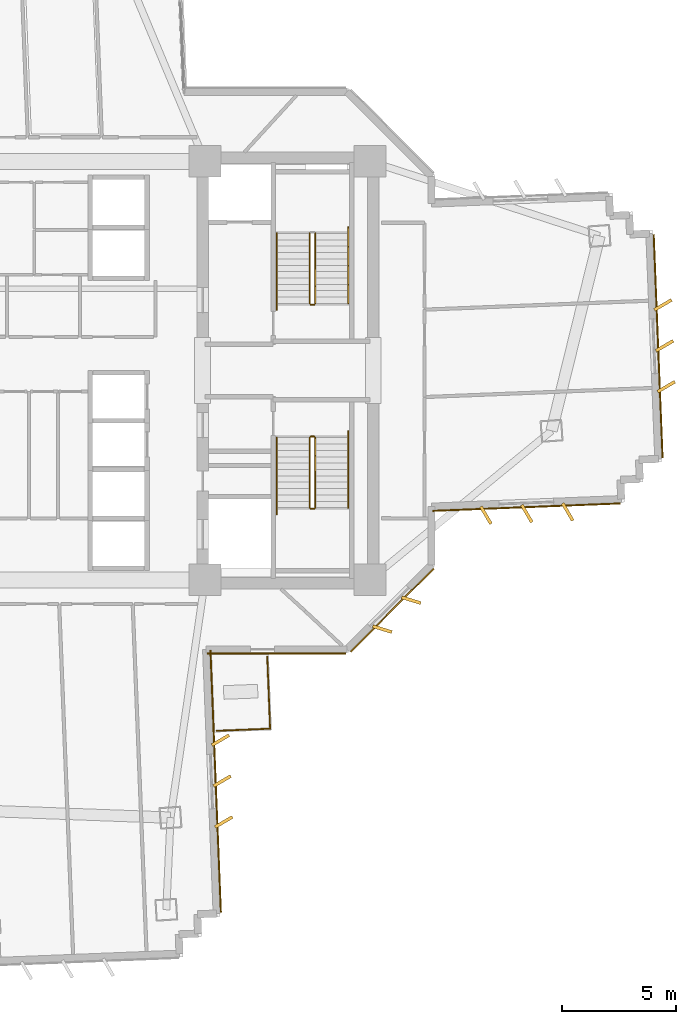
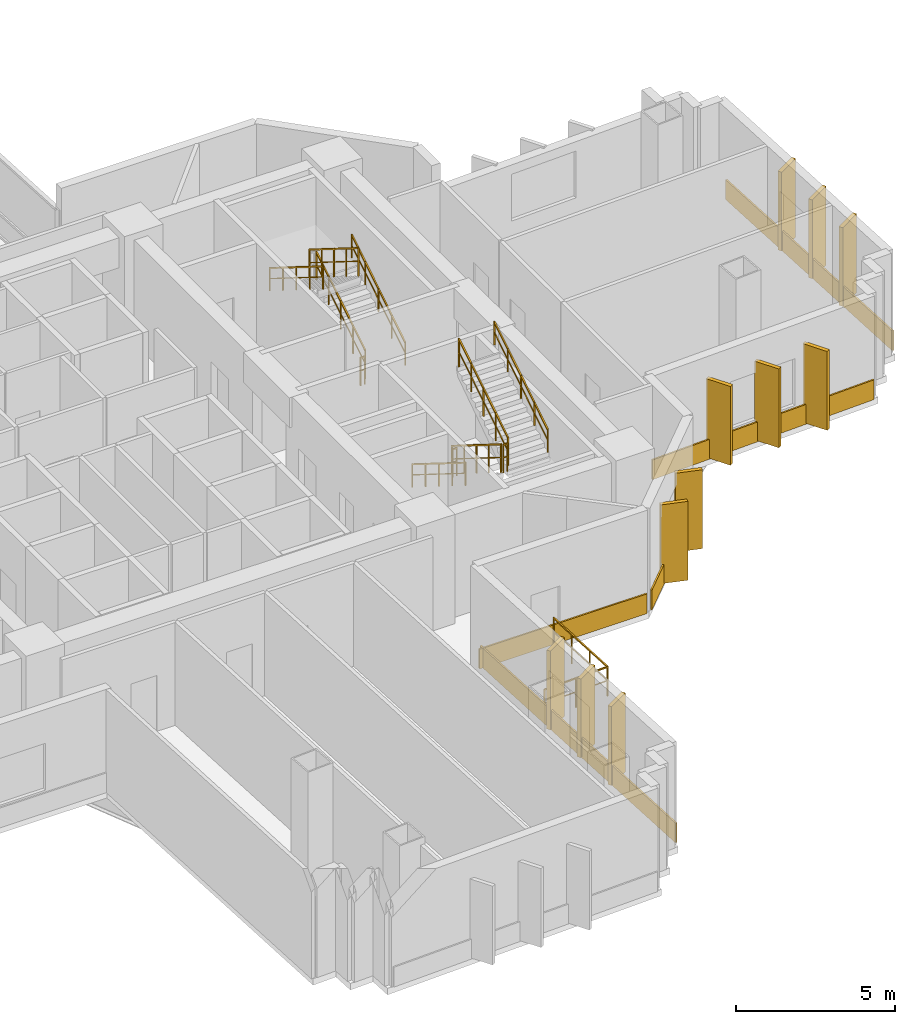
# One storey, part 14 of 16: 16 coverings, 13 railings.
"""IFC4 building model written with IfcOpenShell, lengths in metres."""

import ifcopenshell
import ifcopenshell.guid

model = None  # the IFC model being written
_history = None  # IfcOwnerHistory: only IFC2X3 demands one
_inside = {}  # id of a spatial element -> (the spatial element, [elements in it])
_under = {}  # id of a project, library or spatial element -> (it, [spatial elements below it])
_declared = {}  # id of a project -> (the project, [libraries it declares])
_typed = {}  # id of a type object -> (the type object, [elements of that type])
_made_of = {}  # id of a material, layer set ... -> (it, [elements and type objects made of it])


def new_model(schema):
    """Start an empty IFC model of exactly this schema.

    Asked for "IFC4X3", IfcOpenShell would pick the latest addendum, in which some entities
    have other attributes; the version numbers below select the first issue.
    IFC2X3 requires an IfcOwnerHistory on every rooted entity: one is made here for all.
    """
    global model, _history
    if schema == "IFC4X3":
        model = ifcopenshell.file(schema_version=(4, 3, 0, 0))
    else:
        model = ifcopenshell.file(schema=schema)
    _inside.clear()
    _under.clear()
    _declared.clear()
    _typed.clear()
    _made_of.clear()
    _history = None
    if model.schema == "IFC2X3":
        org = make("IfcOrganization", Name="unknown")
        user = make(
            "IfcPersonAndOrganization",
            ThePerson=make("IfcPerson", FamilyName="unknown"),
            TheOrganization=org,
        )
        app = make(
            "IfcApplication",
            ApplicationDeveloper=org,
            Version="unknown",
            ApplicationFullName="unknown",
            ApplicationIdentifier="unknown",
        )
        _history = make(
            "IfcOwnerHistory",
            OwningUser=user,
            OwningApplication=app,
            ChangeAction="ADDED",
            CreationDate=0,
        )
    return model


def make(cls, **values):
    """One entity of the class cls with the attributes given. An attribute that is None is left unset."""
    return model.create_entity(
        cls, **{name: value for name, value in values.items() if value is not None}
    )


def rooted(cls, **values):
    """An entity with a GlobalId (a new one), such as an element, a storey or a relation."""
    return make(cls, GlobalId=ifcopenshell.guid.new(), OwnerHistory=_history, **values)


def si_unit(unit_type, name, prefix=None):
    """IfcSIUnit, for example si_unit("LENGTHUNIT", "METRE", prefix="MILLI")."""
    return make("IfcSIUnit", UnitType=unit_type, Prefix=prefix, Name=name)


def assignment(units):
    """IfcUnitAssignment: the units of a project."""
    return None if units is None else make("IfcUnitAssignment", Units=units)


def point(xyz):
    """IfcCartesianPoint."""
    return None if xyz is None else make("IfcCartesianPoint", Coordinates=xyz)


def direction(xyz):
    """IfcDirection."""
    return None if xyz is None else make("IfcDirection", DirectionRatios=xyz)


def frame(location, z_axis=None, x_axis=None):
    """IfcAxis2Placement3D, a coordinate frame: its origin and axes. An axis left out is left unset."""
    return make(
        "IfcAxis2Placement3D",
        Location=point(location),
        Axis=direction(z_axis),
        RefDirection=direction(x_axis),
    )


def frame_2d(location, x_axis=None):
    """IfcAxis2Placement2D, a coordinate frame in the plane: its origin and x axis."""
    return make(
        "IfcAxis2Placement2D", Location=point(location), RefDirection=direction(x_axis)
    )


def origin():
    """The frame at (0, 0, 0) with its axes left unset."""
    return frame((0.0, 0.0, 0.0))


def origin_2d():
    """The frame at (0, 0) in the plane with its x axis left unset."""
    return frame_2d((0.0, 0.0))


def place(relative_to, where):
    """IfcLocalPlacement: puts the frame where relative to a parent placement (None: the world)."""
    return make(
        "IfcLocalPlacement", PlacementRelTo=relative_to, RelativePlacement=where
    )


def context(
    kind, dimensions, precision=None, world=None, true_north=None, identifier=None
):
    """IfcGeometricRepresentationContext, for example the 3D "Model" context."""
    return make(
        "IfcGeometricRepresentationContext",
        ContextIdentifier=identifier,
        ContextType=kind,
        CoordinateSpaceDimension=dimensions,
        Precision=precision,
        WorldCoordinateSystem=world,
        TrueNorth=true_north,
    )


def subcontext(parent, identifier, kind, view, scale=None):
    """IfcGeometricRepresentationSubContext, for example "Body" below "Model"."""
    return make(
        "IfcGeometricRepresentationSubContext",
        ContextIdentifier=identifier,
        ContextType=kind,
        ParentContext=parent,
        TargetScale=scale,
        TargetView=view,
    )


def project(units=None, contexts=None):
    """IfcProject with its units and contexts."""
    return rooted(
        "IfcProject",
        Name="project",
        RepresentationContexts=contexts,
        UnitsInContext=assignment(units),
    )


def spatial(cls, under=None, at=None, **own):
    """A site, building, storey or space (cls), placed at a placement, below another one or the project."""
    s = rooted(cls, ObjectPlacement=at, **own)
    if under is not None:
        _under.setdefault(under.id(), (under, []))[1].append(s)
    return s


def profile(cls, at=None, kind="AREA", **sizes):
    """A parametric profile (cls). Its sizes go by their IFC names, for example OverallWidth=200.0."""
    return make(cls, ProfileType=kind, Position=at, **sizes)


def rectangle(**sizes):
    """IfcRectangleProfileDef."""
    return profile("IfcRectangleProfileDef", **sizes)


def extrude(swept, where, along, depth):
    """IfcExtrudedAreaSolid: the profile swept, set in the frame where, extruded along a direction by depth."""
    return make(
        "IfcExtrudedAreaSolid",
        SweptArea=swept,
        Position=where,
        ExtrudedDirection=direction(along),
        Depth=depth,
    )


def shape(context_of_items, identifier, shape_type, items):
    """IfcShapeRepresentation: the items that make up one representation, for example the "Body"."""
    return make(
        "IfcShapeRepresentation",
        ContextOfItems=context_of_items,
        RepresentationIdentifier=identifier,
        RepresentationType=shape_type,
        Items=items,
    )


def source(mapping_origin, context_of_items, identifier, shape_type, items):
    """IfcRepresentationMap: a shape defined once, which mapped items show again and again."""
    return make(
        "IfcRepresentationMap",
        MappingOrigin=mapping_origin,
        MappedRepresentation=shape(context_of_items, identifier, shape_type, items),
    )


def transform(
    local_origin,
    x_axis=None,
    y_axis=None,
    z_axis=None,
    scale=None,
    scale2=None,
    scale3=None,
    uniform=True,
):
    """IfcCartesianTransformationOperator3D, or its non-uniform kind. x_axis, y_axis, z_axis: its Axis1, 2, 3."""
    if uniform:
        return make(
            "IfcCartesianTransformationOperator3D",
            Axis1=direction(x_axis),
            Axis2=direction(y_axis),
            LocalOrigin=point(local_origin),
            Scale=scale,
            Axis3=direction(z_axis),
        )
    return make(
        "IfcCartesianTransformationOperator3DnonUniform",
        Axis1=direction(x_axis),
        Axis2=direction(y_axis),
        LocalOrigin=point(local_origin),
        Scale=scale,
        Axis3=direction(z_axis),
        Scale2=scale2,
        Scale3=scale3,
    )


def mapped(mapping_source, mapping_target):
    """IfcMappedItem: shows the shape of a source again, moved by a transform."""
    return make(
        "IfcMappedItem", MappingSource=mapping_source, MappingTarget=mapping_target
    )


def material(Name=None, Category=None):
    """IfcMaterial."""
    return make("IfcMaterial", Name=Name, Category=Category)


def layer(
    of_material, thickness, ventilated=None, Name=None, Category=None, Priority=None
):
    """IfcMaterialLayer: one layer of a wall or slab, of a material (None: an air gap)."""
    return make(
        "IfcMaterialLayer",
        Material=of_material,
        LayerThickness=thickness,
        IsVentilated=ventilated,
        Name=Name,
        Category=Category,
        Priority=Priority,
    )


def layer_set(layers, Name=None):
    """IfcMaterialLayerSet."""
    return make("IfcMaterialLayerSet", MaterialLayers=layers, LayerSetName=Name)


def made_of(thing, what):
    """Note that an element or type object is made of a material, layer set ...; save() writes the relation."""
    if what is not None:
        _made_of.setdefault(what.id(), (what, []))[1].append(thing)
    return thing


def type_object(cls, material=None, **own):
    """A type object (cls), such as IfcWallType, which elements share."""
    return made_of(rooted(cls, **own), material)


def element(
    cls,
    number,
    at=None,
    inside=None,
    cuts=None,
    type_object=None,
    material=None,
    context=None,
    identifier="Body",
    shape_type=None,
    held_by="IfcProductDefinitionShape",
    body=None,
    shapes=None,
    **own,
):
    """One element of the class cls, such as IfcWall. Its Tag is "e" and its number.

    at: its placement. inside: the storey or other place that contains it. cuts: it is an
    opening in that element (IfcRelVoidsElement). A single representation is given by context,
    identifier, shape_type and body (its items); several are given by shapes. held_by: the class
    of the entity that holds the representations. save() writes the other relations.
    """
    e = rooted(cls, Tag="e%d" % number, ObjectPlacement=at, **own)
    if body is not None:
        shapes = [shape(context, identifier, shape_type, body)]
    if shapes is not None:
        e.Representation = make(held_by, Representations=shapes)
    if inside is not None:
        _inside.setdefault(inside.id(), (inside, []))[1].append(e)
    if cuts is not None:
        rooted(
            "IfcRelVoidsElement", RelatingBuildingElement=cuts, RelatedOpeningElement=e
        )
    if type_object is not None:
        _typed.setdefault(type_object.id(), (type_object, []))[1].append(e)
    return made_of(e, material)


def aggregate(whole, parts):
    """IfcRelAggregates: a whole, such as a stair, and the parts it consists of."""
    return rooted("IfcRelAggregates", RelatingObject=whole, RelatedObjects=parts)


def save(model, path):
    """Write the relations noted so far, then the file.

    IfcRelAggregates (storeys below a building ...), IfcRelContainedInSpatialStructure (elements
    in a storey), IfcRelDefinesByType, IfcRelAssociatesMaterial and IfcRelDeclares: one each for
    every whole, place, type object, material and project.
    """
    for whole, parts in _under.values():
        aggregate(whole, parts)
    for where, things in _inside.values():
        rooted(
            "IfcRelContainedInSpatialStructure",
            RelatedElements=things,
            RelatingStructure=where,
        )
    for kind, things in _typed.values():
        rooted("IfcRelDefinesByType", RelatedObjects=things, RelatingType=kind)
    for what, things in _made_of.values():
        rooted("IfcRelAssociatesMaterial", RelatedObjects=things, RelatingMaterial=what)
    for by, libraries in _declared.values():
        rooted("IfcRelDeclares", RelatingContext=by, RelatedDefinitions=libraries)
    model.write(path)


model = new_model("IFC4")

# Units and contexts
model_context = context("Model", 3, precision=1e-05, world=origin(), true_north=direction((0.0, 1.0)))
body_context = subcontext(model_context, "Body", "Model", "MODEL_VIEW")
ifc_project = project(units=[si_unit("LENGTHUNIT", "METRE"), si_unit("AREAUNIT", "SQUARE_METRE"), si_unit("VOLUMEUNIT", "CUBIC_METRE"), si_unit("PLANEANGLEUNIT", "RADIAN"), si_unit("MASSUNIT", "GRAM", prefix="KILO")], contexts=[model_context])

# Site, building, storey
site_placement = place(None, origin())
site = spatial("IfcSite", under=ifc_project, at=site_placement, CompositionType="ELEMENT")
building_placement = place(site_placement, origin())
building = spatial("IfcBuilding", under=site, at=building_placement, Name="Zahravan Cultural Tower", CompositionType="ELEMENT")
storey_placement = place(building_placement, frame((0.0, 0.0, 58.5)))
storey = spatial("IfcBuildingStorey", under=building, at=storey_placement, Name="L12", CompositionType="ELEMENT", Elevation=58.5)

# Railings
ifc_material_1 = material(Name="Steel ASTM A572 Grade 50", Category="steel")
railing_type_1 = type_object("IfcRailingType", Name="RL-BAL-1150", PredefinedType="BALUSTRADE", material=ifc_material_1)
railing_1_placement = place(storey_placement, frame((45.96435546875, 11.25390625, 0.0)))
element("IfcRailing", 1, at=railing_1_placement, inside=storey, type_object=railing_type_1, Name="L12 Edge Balustrade GRD-TR-L12-SE-01", PredefinedType="BALUSTRADE", context=body_context, shape_type="SweptSolid", body=[
    extrude(rectangle(XDim=0.05, YDim=0.05, at=origin_2d()), frame((0.0, 0.0, 1.125), z_axis=(-0.999208078967, -0.039789633421, 0.0), x_axis=(0.039789633421, -0.999208078967, 0.0)), (0.0, 0.0, 1.0), 2.35009765625),
    extrude(rectangle(XDim=0.032, YDim=0.032, at=origin_2d()), frame((0.0, 0.0, 0.597900390625), z_axis=(-0.999208078967, -0.039789633421, 0.0), x_axis=(0.039789633421, -0.999208078967, 0.0)), (0.0, 0.0, 1.0), 2.35009765625),
    extrude(rectangle(XDim=0.04, YDim=0.04, at=origin_2d()), origin(), (0.0, 0.0, 1.0), 1.14990234375),
    extrude(rectangle(XDim=0.04, YDim=0.04, at=origin_2d()), frame((-1.174072265625, -0.046875, 0.0)), (0.0, 0.0, 1.0), 1.14990234375),
    extrude(rectangle(XDim=0.04, YDim=0.04, at=origin_2d()), frame((-2.34814453125, -0.093505859375, 0.0)), (0.0, 0.0, 1.0), 1.14990234375),
])
railing_2_placement = place(storey_placement, frame((45.838134765625, 14.419921875, 0.0)))
element("IfcRailing", 2, at=railing_2_placement, inside=storey, type_object=railing_type_1, Name="L12 Edge Balustrade GRD-TR-L12-SE-02", PredefinedType="BALUSTRADE", context=body_context, shape_type="SweptSolid", body=[
    extrude(rectangle(XDim=0.05, YDim=0.05, at=origin_2d()), frame((0.0, 0.0, 1.125), z_axis=(0.039835720809, -0.999206242648, 0.0), x_axis=(0.999206242648, 0.039835720809, 0.0)), (0.0, 0.0, 1.0), 3.16845703125),
    extrude(rectangle(XDim=0.032, YDim=0.032, at=origin_2d()), frame((0.0, 0.0, 0.597900390625), z_axis=(0.039835720809, -0.999206242648, 0.0), x_axis=(0.999206242648, 0.039835720809, 0.0)), (0.0, 0.0, 1.0), 3.16845703125),
    extrude(rectangle(XDim=0.04, YDim=0.04, at=origin_2d()), origin(), (0.0, 0.0, 1.0), 1.14990234375),
    extrude(rectangle(XDim=0.04, YDim=0.04, at=origin_2d()), frame((0.0419921875, -1.055419921875, 0.0)), (0.0, 0.0, 1.0), 1.14990234375),
    extrude(rectangle(XDim=0.04, YDim=0.04, at=origin_2d()), frame((0.084228515625, -2.110595703125, 0.0)), (0.0, 0.0, 1.0), 1.14990234375),
    extrude(rectangle(XDim=0.04, YDim=0.04, at=origin_2d()), frame((0.126220703125, -3.166015625, 0.0)), (0.0, 0.0, 1.0), 1.14990234375),
])
railing_type_2 = type_object("IfcRailingType", Name="RL-STAIR-GRD1150", PredefinedType="BALUSTRADE", material=ifc_material_1)
railing_3_placement = place(storey_placement, frame((47.949951171875, 29.949951171875, 0.175048828125)))
element("IfcRailing", 3, at=railing_3_placement, inside=storey, type_object=railing_type_2, Name="L12 ST-E1 stair guard 1", PredefinedType="BALUSTRADE", context=body_context, shape_type="SweptSolid", body=[
    extrude(rectangle(XDim=0.05, YDim=0.05, at=origin_2d()), frame((0.0, 0.0, 1.0751953125), z_axis=(0.0, 0.847998304005, 0.529998940003), x_axis=(-1.0, 0.0, 0.0)), (0.0, 0.0, 1.0), 3.632080078125),
    extrude(rectangle(XDim=0.032, YDim=0.032, at=origin_2d()), frame((0.0, 0.0, 0.572021484375), z_axis=(0.0, 0.847998304005, 0.529998940003), x_axis=(-1.0, 0.0, 0.0)), (0.0, 0.0, 1.0), 3.632080078125),
    extrude(rectangle(XDim=0.04, YDim=0.04, at=origin_2d()), origin(), (0.0, 0.0, 1.0), 1.10009765625),
    extrude(rectangle(XDim=0.04, YDim=0.04, at=origin_2d()), frame((0.0, 0.77001953125, 0.481201171875)), (0.0, 0.0, 1.0), 1.10009765625),
    extrude(rectangle(XDim=0.04, YDim=0.04, at=origin_2d()), frame((0.0, 1.5400390625, 0.96240234375)), (0.0, 0.0, 1.0), 1.10009765625),
    extrude(rectangle(XDim=0.04, YDim=0.04, at=origin_2d()), frame((0.0, 2.31005859375, 1.44384765625)), (0.0, 0.0, 1.0), 1.10009765625),
    extrude(rectangle(XDim=0.04, YDim=0.04, at=origin_2d()), frame((0.0, 3.080078125, 1.925048828125)), (0.0, 0.0, 1.0), 1.10009765625),
])
railing_4_placement = place(storey_placement, frame((47.699951171875, 33.030029296875, 2.27490234375)))
element("IfcRailing", 4, at=railing_4_placement, inside=storey, type_object=railing_type_2, Name="L12 ST-E1 stair guard 3", PredefinedType="BALUSTRADE", context=body_context, shape_type="SweptSolid", body=[
    extrude(rectangle(XDim=0.05, YDim=0.05, at=origin_2d()), frame((0.0, 0.0, 1.0751953125), z_axis=(0.0, -0.847998304005, 0.529998940003), x_axis=(1.0, 0.0, 0.0)), (0.0, 0.0, 1.0), 3.632080078125),
    extrude(rectangle(XDim=0.032, YDim=0.032, at=origin_2d()), frame((0.0, 0.0, 0.572021484375), z_axis=(0.0, -0.847998304005, 0.529998940003), x_axis=(1.0, 0.0, 0.0)), (0.0, 0.0, 1.0), 3.632080078125),
    extrude(rectangle(XDim=0.04, YDim=0.04, at=origin_2d()), origin(), (0.0, 0.0, 1.0), 1.10009765625),
    extrude(rectangle(XDim=0.04, YDim=0.04, at=origin_2d()), frame((0.0, -0.77001953125, 0.481201171875)), (0.0, 0.0, 1.0), 1.10009765625),
    extrude(rectangle(XDim=0.04, YDim=0.04, at=origin_2d()), frame((0.0, -1.5400390625, 0.96240234375)), (0.0, 0.0, 1.0), 1.10009765625),
    extrude(rectangle(XDim=0.04, YDim=0.04, at=origin_2d()), frame((0.0, -2.31005859375, 1.44384765625)), (0.0, 0.0, 1.0), 1.10009765625),
    extrude(rectangle(XDim=0.04, YDim=0.04, at=origin_2d()), frame((0.0, -3.080078125, 1.925048828125)), (0.0, 0.0, 1.0), 1.10009765625),
])
railing_5_placement = place(storey_placement, frame((47.89990234375, 29.89990234375, 0.0)))
element("IfcRailing", 5, at=railing_5_placement, inside=storey, type_object=railing_type_2, Name="L12 ST-E1 stair guard 4", PredefinedType="BALUSTRADE", context=body_context, shape_type="SweptSolid", body=[
    extrude(rectangle(XDim=0.05, YDim=0.05, at=origin_2d()), frame((0.0, 0.0, 1.0751953125), z_axis=(-1.0, 0.0, 0.0), x_axis=(0.0, -1.0, 0.0)), (0.0, 0.0, 1.0), 0.14990234375),
    extrude(rectangle(XDim=0.032, YDim=0.032, at=origin_2d()), frame((0.0, 0.0, 0.572021484375), z_axis=(-1.0, 0.0, 0.0), x_axis=(0.0, -1.0, 0.0)), (0.0, 0.0, 1.0), 0.14990234375),
    extrude(rectangle(XDim=0.04, YDim=0.04, at=origin_2d()), origin(), (0.0, 0.0, 1.0), 1.10009765625),
    extrude(rectangle(XDim=0.04, YDim=0.04, at=origin_2d()), frame((-0.14990234375, 0.0, 0.0)), (0.0, 0.0, 1.0), 1.10009765625),
])
railing_6_placement = place(storey_placement, frame((47.699951171875, 24.050048828125, 0.175048828125)))
element("IfcRailing", 6, at=railing_6_placement, inside=storey, type_object=railing_type_2, Name="L12 ST-E2 stair guard 1", PredefinedType="BALUSTRADE", context=body_context, shape_type="SweptSolid", body=[
    extrude(rectangle(XDim=0.05, YDim=0.05, at=origin_2d()), frame((0.0, 0.0, 1.0751953125), z_axis=(0.0, -0.847998304005, 0.529998940003), x_axis=(1.0, 0.0, 0.0)), (0.0, 0.0, 1.0), 3.632080078125),
    extrude(rectangle(XDim=0.032, YDim=0.032, at=origin_2d()), frame((0.0, 0.0, 0.572021484375), z_axis=(0.0, -0.847998304005, 0.529998940003), x_axis=(1.0, 0.0, 0.0)), (0.0, 0.0, 1.0), 3.632080078125),
    extrude(rectangle(XDim=0.04, YDim=0.04, at=origin_2d()), origin(), (0.0, 0.0, 1.0), 1.10009765625),
    extrude(rectangle(XDim=0.04, YDim=0.04, at=origin_2d()), frame((0.0, -0.77001953125, 0.481201171875)), (0.0, 0.0, 1.0), 1.10009765625),
    extrude(rectangle(XDim=0.04, YDim=0.04, at=origin_2d()), frame((0.0, -1.5400390625, 0.96240234375)), (0.0, 0.0, 1.0), 1.10009765625),
    extrude(rectangle(XDim=0.04, YDim=0.04, at=origin_2d()), frame((0.0, -2.31005859375, 1.44384765625)), (0.0, 0.0, 1.0), 1.10009765625),
    extrude(rectangle(XDim=0.04, YDim=0.04, at=origin_2d()), frame((0.0, -3.080078125, 1.925048828125)), (0.0, 0.0, 1.0), 1.10009765625),
])
railing_7_placement = place(storey_placement, frame((47.75, 20.919921875, 2.10009765625)))
element("IfcRailing", 7, at=railing_7_placement, inside=storey, type_object=railing_type_2, Name="L12 ST-E2 stair guard 2", PredefinedType="BALUSTRADE", context=body_context, shape_type="SweptSolid", body=[
    extrude(rectangle(XDim=0.05, YDim=0.05, at=origin_2d()), frame((0.0, 0.0, 1.0751953125), z_axis=(1.0, 0.0, 0.0), x_axis=(0.0, 1.0, 0.0)), (0.0, 0.0, 1.0), 0.14990234375),
    extrude(rectangle(XDim=0.032, YDim=0.032, at=origin_2d()), frame((0.0, 0.0, 0.572021484375), z_axis=(1.0, 0.0, 0.0), x_axis=(0.0, 1.0, 0.0)), (0.0, 0.0, 1.0), 0.14990234375),
    extrude(rectangle(XDim=0.04, YDim=0.04, at=origin_2d()), origin(), (0.0, 0.0, 1.0), 1.10009765625),
    extrude(rectangle(XDim=0.04, YDim=0.04, at=origin_2d()), frame((0.14990234375, 0.0, 0.0)), (0.0, 0.0, 1.0), 1.10009765625),
])
railing_8_placement = place(storey_placement, frame((47.949951171875, 20.969970703125, 2.27490234375)))
element("IfcRailing", 8, at=railing_8_placement, inside=storey, type_object=railing_type_2, Name="L12 ST-E2 stair guard 3", PredefinedType="BALUSTRADE", context=body_context, shape_type="SweptSolid", body=[
    extrude(rectangle(XDim=0.05, YDim=0.05, at=origin_2d()), frame((0.0, 0.0, 1.0751953125), z_axis=(0.0, 0.847998304005, 0.529998940003), x_axis=(-1.0, 0.0, 0.0)), (0.0, 0.0, 1.0), 3.632080078125),
    extrude(rectangle(XDim=0.032, YDim=0.032, at=origin_2d()), frame((0.0, 0.0, 0.572021484375), z_axis=(0.0, 0.847998304005, 0.529998940003), x_axis=(-1.0, 0.0, 0.0)), (0.0, 0.0, 1.0), 3.632080078125),
    extrude(rectangle(XDim=0.04, YDim=0.04, at=origin_2d()), origin(), (0.0, 0.0, 1.0), 1.10009765625),
    extrude(rectangle(XDim=0.04, YDim=0.04, at=origin_2d()), frame((0.0, 0.77001953125, 0.481201171875)), (0.0, 0.0, 1.0), 1.10009765625),
    extrude(rectangle(XDim=0.04, YDim=0.04, at=origin_2d()), frame((0.0, 1.5400390625, 0.96240234375)), (0.0, 0.0, 1.0), 1.10009765625),
    extrude(rectangle(XDim=0.04, YDim=0.04, at=origin_2d()), frame((0.0, 2.31005859375, 1.44384765625)), (0.0, 0.0, 1.0), 1.10009765625),
    extrude(rectangle(XDim=0.04, YDim=0.04, at=origin_2d()), frame((0.0, 3.080078125, 1.925048828125)), (0.0, 0.0, 1.0), 1.10009765625),
])
railing_9_placement = place(storey_placement, frame((47.75, 24.10009765625, 0.0)))
element("IfcRailing", 9, at=railing_9_placement, inside=storey, type_object=railing_type_2, Name="L12 ST-E2 stair guard 4", PredefinedType="BALUSTRADE", context=body_context, shape_type="SweptSolid", body=[
    extrude(rectangle(XDim=0.05, YDim=0.05, at=origin_2d()), frame((0.0, 0.0, 1.0751953125), z_axis=(1.0, 0.0, 0.0), x_axis=(0.0, 1.0, 0.0)), (0.0, 0.0, 1.0), 0.14990234375),
    extrude(rectangle(XDim=0.032, YDim=0.032, at=origin_2d()), frame((0.0, 0.0, 0.572021484375), z_axis=(1.0, 0.0, 0.0), x_axis=(0.0, 1.0, 0.0)), (0.0, 0.0, 1.0), 0.14990234375),
    extrude(rectangle(XDim=0.04, YDim=0.04, at=origin_2d()), origin(), (0.0, 0.0, 1.0), 1.10009765625),
    extrude(rectangle(XDim=0.04, YDim=0.04, at=origin_2d()), frame((0.14990234375, 0.0, 0.0)), (0.0, 0.0, 1.0), 1.10009765625),
])
railing_type_3 = type_object("IfcRailingType", Name="RL-STAIR-HR900", PredefinedType="HANDRAIL", material=ifc_material_1)
railing_10_placement = place(storey_placement, frame((49.39990234375, 29.949951171875, 0.175048828125)))
element("IfcRailing", 10, at=railing_10_placement, inside=storey, type_object=railing_type_3, Name="L12 ST-E1 stair handrail 1", PredefinedType="HANDRAIL", context=body_context, shape_type="SweptSolid", body=[
    extrude(rectangle(XDim=0.05, YDim=0.05, at=origin_2d()), frame((0.0, 0.0, 0.875), z_axis=(0.0, 0.848022534174, 0.529960169762), x_axis=(-1.0, 0.0, 0.0)), (0.0, 0.0, 1.0), 3.96240234375),
    extrude(rectangle(XDim=0.032, YDim=0.032, at=origin_2d()), frame((0.0, 0.0, 0.468017578125), z_axis=(0.0, 0.848022534174, 0.529960169762), x_axis=(-1.0, 0.0, 0.0)), (0.0, 0.0, 1.0), 3.96240234375),
    extrude(rectangle(XDim=0.04, YDim=0.04, at=origin_2d()), origin(), (0.0, 0.0, 1.0), 0.89990234375),
    extrude(rectangle(XDim=0.04, YDim=0.04, at=origin_2d()), frame((0.0, 0.840087890625, 0.52490234375)), (0.0, 0.0, 1.0), 0.89990234375),
    extrude(rectangle(XDim=0.04, YDim=0.04, at=origin_2d()), frame((0.0, 1.68017578125, 1.0498046875)), (0.0, 0.0, 1.0), 0.89990234375),
    extrude(rectangle(XDim=0.04, YDim=0.04, at=origin_2d()), frame((0.0, 2.52001953125, 1.574951171875)), (0.0, 0.0, 1.0), 0.89990234375),
    extrude(rectangle(XDim=0.04, YDim=0.04, at=origin_2d()), frame((0.0, 3.360107421875, 2.099853515625)), (0.0, 0.0, 1.0), 0.89990234375),
])
railing_11_placement = place(storey_placement, frame((46.25, 33.030029296875, 2.27490234375)))
element("IfcRailing", 11, at=railing_11_placement, inside=storey, type_object=railing_type_3, Name="L12 ST-E1 stair handrail 2", PredefinedType="HANDRAIL", context=body_context, shape_type="SweptSolid", body=[
    extrude(rectangle(XDim=0.05, YDim=0.05, at=origin_2d()), frame((0.0, 0.0, 0.875), z_axis=(0.0, -0.847994842521, 0.530004478338), x_axis=(1.0, 0.0, 0.0)), (0.0, 0.0, 1.0), 3.96240234375),
    extrude(rectangle(XDim=0.032, YDim=0.032, at=origin_2d()), frame((0.0, 0.0, 0.468017578125), z_axis=(0.0, -0.847994842521, 0.530004478338), x_axis=(1.0, 0.0, 0.0)), (0.0, 0.0, 1.0), 3.96240234375),
    extrude(rectangle(XDim=0.04, YDim=0.04, at=origin_2d()), origin(), (0.0, 0.0, 1.0), 0.89990234375),
    extrude(rectangle(XDim=0.04, YDim=0.04, at=origin_2d()), frame((0.0, -0.840087890625, 0.52490234375)), (0.0, 0.0, 1.0), 0.89990234375),
    extrude(rectangle(XDim=0.04, YDim=0.04, at=origin_2d()), frame((0.0, -1.68017578125, 1.050048828125)), (0.0, 0.0, 1.0), 0.89990234375),
    extrude(rectangle(XDim=0.04, YDim=0.04, at=origin_2d()), frame((0.0, -2.52001953125, 1.5751953125)), (0.0, 0.0, 1.0), 0.89990234375),
    extrude(rectangle(XDim=0.04, YDim=0.04, at=origin_2d()), frame((0.0, -3.360107421875, 2.10009765625)), (0.0, 0.0, 1.0), 0.89990234375),
])
railing_12_placement = place(storey_placement, frame((46.25, 24.050048828125, 0.175048828125)))
element("IfcRailing", 12, at=railing_12_placement, inside=storey, type_object=railing_type_3, Name="L12 ST-E2 stair handrail 1", PredefinedType="HANDRAIL", context=body_context, shape_type="SweptSolid", body=[
    extrude(rectangle(XDim=0.05, YDim=0.05, at=origin_2d()), frame((0.0, 0.0, 0.875), z_axis=(0.0, -0.848022534174, 0.529960169762), x_axis=(1.0, 0.0, 0.0)), (0.0, 0.0, 1.0), 3.96240234375),
    extrude(rectangle(XDim=0.032, YDim=0.032, at=origin_2d()), frame((0.0, 0.0, 0.468017578125), z_axis=(0.0, -0.848022534174, 0.529960169762), x_axis=(1.0, 0.0, 0.0)), (0.0, 0.0, 1.0), 3.96240234375),
    extrude(rectangle(XDim=0.04, YDim=0.04, at=origin_2d()), origin(), (0.0, 0.0, 1.0), 0.89990234375),
    extrude(rectangle(XDim=0.04, YDim=0.04, at=origin_2d()), frame((0.0, -0.840087890625, 0.52490234375)), (0.0, 0.0, 1.0), 0.89990234375),
    extrude(rectangle(XDim=0.04, YDim=0.04, at=origin_2d()), frame((0.0, -1.68017578125, 1.0498046875)), (0.0, 0.0, 1.0), 0.89990234375),
    extrude(rectangle(XDim=0.04, YDim=0.04, at=origin_2d()), frame((0.0, -2.52001953125, 1.574951171875)), (0.0, 0.0, 1.0), 0.89990234375),
    extrude(rectangle(XDim=0.04, YDim=0.04, at=origin_2d()), frame((0.0, -3.360107421875, 2.099853515625)), (0.0, 0.0, 1.0), 0.89990234375),
])
railing_13_placement = place(storey_placement, frame((49.39990234375, 20.969970703125, 2.27490234375)))
element("IfcRailing", 13, at=railing_13_placement, inside=storey, type_object=railing_type_3, Name="L12 ST-E2 stair handrail 2", PredefinedType="HANDRAIL", context=body_context, shape_type="SweptSolid", body=[
    extrude(rectangle(XDim=0.05, YDim=0.05, at=origin_2d()), frame((0.0, 0.0, 0.875), z_axis=(0.0, 0.847994842521, 0.530004478338), x_axis=(-1.0, 0.0, 0.0)), (0.0, 0.0, 1.0), 3.96240234375),
    extrude(rectangle(XDim=0.032, YDim=0.032, at=origin_2d()), frame((0.0, 0.0, 0.468017578125), z_axis=(0.0, 0.847994842521, 0.530004478338), x_axis=(-1.0, 0.0, 0.0)), (0.0, 0.0, 1.0), 3.96240234375),
    extrude(rectangle(XDim=0.04, YDim=0.04, at=origin_2d()), origin(), (0.0, 0.0, 1.0), 0.89990234375),
    extrude(rectangle(XDim=0.04, YDim=0.04, at=origin_2d()), frame((0.0, 0.840087890625, 0.52490234375)), (0.0, 0.0, 1.0), 0.89990234375),
    extrude(rectangle(XDim=0.04, YDim=0.04, at=origin_2d()), frame((0.0, 1.68017578125, 1.050048828125)), (0.0, 0.0, 1.0), 0.89990234375),
    extrude(rectangle(XDim=0.04, YDim=0.04, at=origin_2d()), frame((0.0, 2.52001953125, 1.5751953125)), (0.0, 0.0, 1.0), 0.89990234375),
    extrude(rectangle(XDim=0.04, YDim=0.04, at=origin_2d()), frame((0.0, 3.360107421875, 2.10009765625)), (0.0, 0.0, 1.0), 0.89990234375),
])

# Coverings
ifc_material_2 = material(Name="Terracotta ceramic cladding", Category="masonry")
ifc_layer = layer(ifc_material_2, 0.06005859375)
ifc_layer_set = layer_set([ifc_layer], Name="Terracotta ceramic cladding")
covering_type = type_object("IfcCoveringType", Name="COV-CLAD-TC60", PredefinedType="CLADDING", material=ifc_layer_set)
shared_shape_1 = source(origin(), body_context, "Body", "SweptSolid", [
    extrude(rectangle(XDim=9.820068359375, YDim=0.06005859375, at=origin_2d()), origin(), (0.0, 0.0, 1.0), 0.760009765625),
])
covering_1_placement = place(storey_placement, frame((63.023681640625, 28.075927734375, 0.02001953125), z_axis=(0.0, 0.0, 1.0), x_axis=(0.039783005453, -0.999208342878, 0.0)))
element("IfcCovering", 14, at=covering_1_placement, inside=storey, type_object=covering_type, Name="L12 Terracotta Spandrel Cladding 06", PredefinedType="CLADDING", context=body_context, shape_type="MappedRepresentation", body=[
    mapped(shared_shape_1, transform((0.0, 0.0, 0.0), x_axis=(1.0, 0.0, 0.0), y_axis=(0.0, 1.0, 0.0), z_axis=(0.0, 0.0, 1.0), scale=1.0)),
])
shared_shape_2 = source(origin(), body_context, "Body", "SweptSolid", [
    extrude(rectangle(XDim=5.157958984375, YDim=0.06005859375, at=origin_2d()), origin(), (0.0, 0.0, 1.0), 0.760009765625),
])
covering_2_placement = place(storey_placement, frame((51.331787109375, 16.46826171875, 0.02001953125), z_axis=(0.0, 0.0, 1.0), x_axis=(-0.707106781187, -0.707106781187, 0.0)))
element("IfcCovering", 15, at=covering_2_placement, inside=storey, type_object=covering_type, Name="L12 Terracotta Spandrel Cladding 13", PredefinedType="CLADDING", context=body_context, shape_type="MappedRepresentation", body=[
    mapped(shared_shape_2, transform((0.0, 0.0, 0.0), x_axis=(1.0, 0.0, 0.0), y_axis=(0.0, 1.0, 0.0), z_axis=(0.0, 0.0, 1.0), scale=1.0)),
])
shared_shape_3 = source(origin(), body_context, "Body", "SweptSolid", [
    extrude(rectangle(XDim=0.8798828125, YDim=0.139892578125, at=origin_2d()), origin(), (0.0, 0.0, 1.0), 3.030029296875),
])
for number, where, z_axis, x_axis, name in (
    (16, (63.23681640625, 29.8857421875, 0.0498046875), (0.0, 0.0, 1.0), (0.863571611366, 0.504226211181, 0.0), "L12 Herringbone Terracotta Fin 04"),
    (17, (63.308349609375, 28.087158203125, 0.0498046875), (0.0, 0.0, 1.0), (0.863571611366, 0.504226211181, 0.0), "L12 Herringbone Terracotta Fin 05"),
    (18, (63.3798828125, 26.288818359375, 0.0498046875), (0.0, 0.0, 1.0), (0.863571611366, 0.504226211181, 0.0), "L12 Herringbone Terracotta Fin 06"),
    (19, (59.0498046875, 20.781982421875, 0.0498046875), (0.0, 0.0, 1.0), (0.504226211181, -0.863571611366, 0.0), "L12 Herringbone Terracotta Fin 07"),
    (20, (57.251220703125, 20.71044921875, 0.0498046875), (0.0, 0.0, 1.0), (0.504226211181, -0.863571611366, 0.0), "L12 Herringbone Terracotta Fin 08"),
    (21, (55.45263671875, 20.638916015625, 0.0498046875), (0.0, 0.0, 1.0), (0.504226211181, -0.863571611366, 0.0), "L12 Herringbone Terracotta Fin 09"),
    (22, (52.169677734375, 16.903076171875, 0.0498046875), (0.0, 0.0, 1.0), (0.956304755963, -0.292371704723, 0.0), "L12 Herringbone Terracotta Fin 10"),
    (23, (50.89697265625, 15.63037109375, 0.0498046875), (0.0, 0.0, 1.0), (0.956304755963, -0.292371704723, 0.0), "L12 Herringbone Terracotta Fin 11"),
    (24, (43.78271484375, 10.749267578125, 0.0498046875), (0.0, 0.0, 1.0), (0.863571611366, 0.504226211181, 0.0), "L12 Herringbone Terracotta Fin 12"),
    (25, (43.854248046875, 8.95068359375, 0.0498046875), (0.0, 0.0, 1.0), (0.863571611366, 0.504226211181, 0.0), "L12 Herringbone Terracotta Fin 13"),
    (26, (43.92578125, 7.152099609375, 0.0498046875), (0.0, 0.0, 1.0), (0.863571611366, 0.504226211181, 0.0), "L12 Herringbone Terracotta Fin 14"),
):
    element("IfcCovering", number, at=place(storey_placement, frame(where, z_axis=z_axis, x_axis=x_axis)), inside=storey, type_object=covering_type, Name=name, PredefinedType="CLADDING", context=body_context, shape_type="MappedRepresentation", body=[
        mapped(shared_shape_3, transform((0.0, 0.0, 0.0), x_axis=(1.0, 0.0, 0.0), y_axis=(0.0, 1.0, 0.0), z_axis=(0.0, 0.0, 1.0), scale=1.0)),
    ])
shared_shape_4 = source(origin(), body_context, "Body", "SweptSolid", [
    extrude(rectangle(XDim=8.251708984375, YDim=0.06005859375, at=origin_2d()), origin(), (0.0, 0.0, 1.0), 0.760009765625),
])
covering_3_placement = place(storey_placement, frame((57.239990234375, 20.9951171875, 0.02001953125), z_axis=(0.0, 0.0, 1.0), x_axis=(-0.999208342878, -0.039783005453, 0.0)))
element("IfcCovering", 27, at=covering_3_placement, inside=storey, type_object=covering_type, Name="L12 Terracotta Spandrel Cladding 11", PredefinedType="CLADDING", context=body_context, shape_type="MappedRepresentation", body=[
    mapped(shared_shape_4, transform((0.0, 0.0, 0.0), x_axis=(1.0, 0.0, 0.0), y_axis=(0.0, 1.0, 0.0), z_axis=(0.0, 0.0, 1.0), scale=1.0)),
])
shared_shape_5 = source(origin(), body_context, "Body", "SweptSolid", [
    extrude(rectangle(XDim=6.088623046875, YDim=0.06005859375, at=origin_2d()), origin(), (0.0, 0.0, 1.0), 0.760009765625),
])
covering_4_placement = place(storey_placement, frame((46.247802734375, 14.554931640625, 0.02001953125), z_axis=(0.0, 0.0, 1.0), x_axis=(-1.0, 0.0, 0.0)))
element("IfcCovering", 28, at=covering_4_placement, inside=storey, type_object=covering_type, Name="L12 Terracotta Spandrel Cladding 14", PredefinedType="CLADDING", context=body_context, shape_type="MappedRepresentation", body=[
    mapped(shared_shape_5, transform((0.0, 0.0, 0.0), x_axis=(1.0, 0.0, 0.0), y_axis=(0.0, 1.0, 0.0), z_axis=(0.0, 0.0, 1.0), scale=1.0)),
])
shared_shape_6 = source(origin(), body_context, "Body", "SweptSolid", [
    extrude(rectangle(XDim=11.525146484375, YDim=0.06005859375, at=origin_2d()), origin(), (0.0, 0.0, 1.0), 0.760009765625),
])
covering_5_placement = place(storey_placement, frame((43.5693359375, 8.939453125, 0.02001953125), z_axis=(0.0, 0.0, 1.0), x_axis=(0.039783005453, -0.999208342878, 0.0)))
element("IfcCovering", 29, at=covering_5_placement, inside=storey, type_object=covering_type, Name="L12 Terracotta Spandrel Cladding 15", PredefinedType="CLADDING", context=body_context, shape_type="MappedRepresentation", body=[
    mapped(shared_shape_6, transform((0.0, 0.0, 0.0), x_axis=(1.0, 0.0, 0.0), y_axis=(0.0, 1.0, 0.0), z_axis=(0.0, 0.0, 1.0), scale=1.0)),
])

save(model, "model.ifc")
